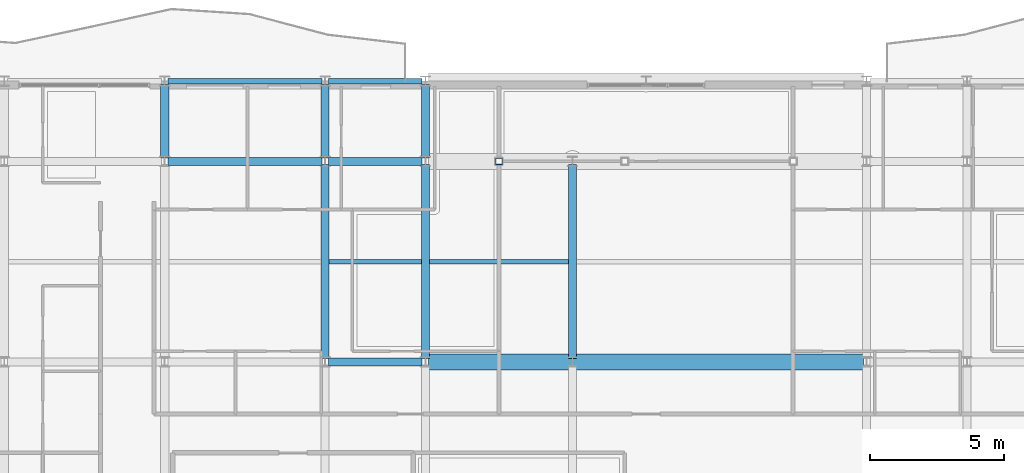
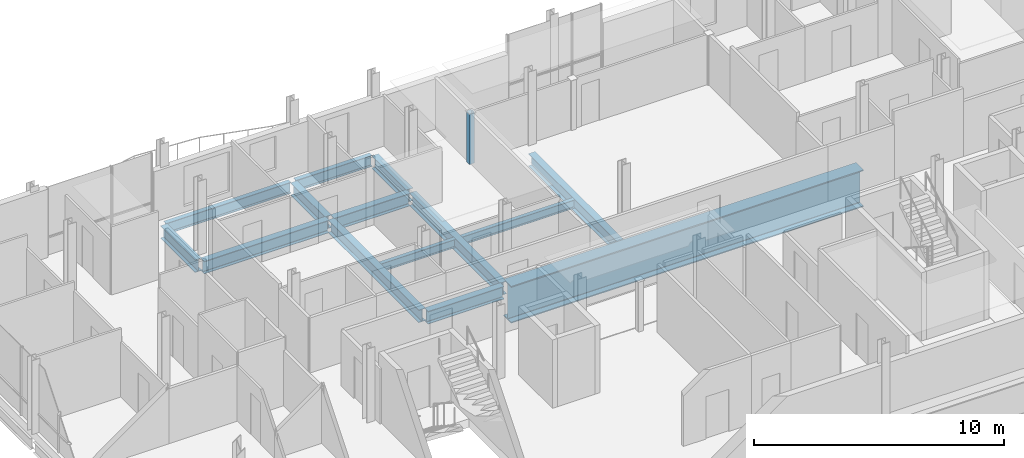
# One storey, part 9 of 35: 14 beams, 1 member.
"""IFC4 building model written with IfcOpenShell, lengths in metres."""

from ifc_helpers import new_model, si_unit, direction, frame, origin, origin_2d, place, context, subcontext, project, spatial, hollow_rectangle, i_section, extrude, material, material_profile, profile_set, type_object, element, save


model = new_model("IFC4")

# Units and contexts
model_context = context("Model", 3, precision=1e-05, world=origin(), true_north=direction((0.0, 1.0)))
body_context = subcontext(model_context, "Body", "Model", "MODEL_VIEW")
ifc_project = project(units=[si_unit("LENGTHUNIT", "METRE"), si_unit("AREAUNIT", "SQUARE_METRE"), si_unit("VOLUMEUNIT", "CUBIC_METRE"), si_unit("PLANEANGLEUNIT", "RADIAN"), si_unit("MASSUNIT", "GRAM", prefix="KILO")], contexts=[model_context])

# Site, building, storey
site_placement = place(None, origin())
site = spatial("IfcSite", under=ifc_project, at=site_placement, CompositionType="ELEMENT")
building_placement = place(site_placement, origin())
building = spatial("IfcBuilding", under=site, at=building_placement, Name="Brevholm Reach", CompositionType="ELEMENT")
storey_placement = place(building_placement, frame((0.0, 0.0, 214.39990234375)))
storey = spatial("IfcBuildingStorey", under=building, at=storey_placement, Name="L65", CompositionType="ELEMENT", Elevation=214.39990234375)

# Beams
ifc_material_1 = material(Name="Structural Steel S355J2", Category="steel")
ifc_material_profile_1 = material_profile(ifc_material_1, i_section(OverallWidth=0.177978515625, OverallDepth=0.406494140625, WebThickness=0.0078125, FlangeThickness=0.0126953125, FilletRadius=0.01025390625, at=origin_2d()), Name="UKB 406x178x60")
ifc_profile_set_1 = profile_set([ifc_material_profile_1], Name="Structural Steel S355J2")
beam_type_1 = type_object("IfcBeamType", Name="BM-B406", PredefinedType="BEAM", material=ifc_profile_set_1)
beam_1_placement = place(storey_placement, frame((18.153564453125, 19.75, -0.623046875), z_axis=(1.0, 0.0, 0.0), x_axis=(0.0, 1.0, 0.0)))
element("IfcBeam", 1, at=beam_1_placement, inside=storey, type_object=beam_type_1, Name="L65 Composite Secondary Floor Beam", PredefinedType="BEAM", context=body_context, shape_type="SweptSolid", body=[
    extrude(i_section(OverallWidth=0.177978515625, OverallDepth=0.406494140625, WebThickness=0.0078125, FlangeThickness=0.0126953125, FilletRadius=0.01025390625, at=origin_2d()), origin(), (0.0, 0.0, 1.0), 3.44287109375),
])
beam_2_placement = place(storey_placement, frame((21.903564453125, 19.75, -0.623046875), z_axis=(1.0, 0.0, 0.0), x_axis=(0.0, 1.0, 0.0)))
element("IfcBeam", 2, at=beam_2_placement, inside=storey, type_object=beam_type_1, Name="L65 Composite Secondary Floor Beam", PredefinedType="BEAM", context=body_context, shape_type="SweptSolid", body=[
    extrude(i_section(OverallWidth=0.177978515625, OverallDepth=0.406494140625, WebThickness=0.0078125, FlangeThickness=0.0126953125, FilletRadius=0.01025390625, at=origin_2d()), origin(), (0.0, 0.0, 1.0), 5.19287109375),
])
ifc_material_2 = material(Name="Structural Steel S460ML", Category="steel")
ifc_material_profile_2 = material_profile(ifc_material_2, i_section(OverallWidth=0.60009765625, OverallDepth=1.800048828125, WebThickness=0.034912109375, FlangeThickness=0.050048828125, FilletRadius=0.02392578125, at=origin_2d()), Name="PG 1800x600x50")
ifc_profile_set_2 = profile_set([ifc_material_profile_2], Name="Structural Steel S460ML")
beam_type_2 = type_object("IfcBeamType", Name="BM-PG1800", PredefinedType="USERDEFINED", material=ifc_profile_set_2)
beam_3_placement = place(storey_placement, frame((21.8701171875, 16.0, -1.31982421875), z_axis=(1.0, 0.0, 0.0), x_axis=(0.0, 1.0, 0.0)))
element("IfcBeam", 3, at=beam_3_placement, inside=storey, type_object=beam_type_2, Name="L65 TG-01 Framing Beam", ObjectType="GIRDER", PredefinedType="USERDEFINED", context=body_context, shape_type="SweptSolid", body=[
    extrude(i_section(OverallWidth=0.60009765625, OverallDepth=1.800048828125, WebThickness=0.034912109375, FlangeThickness=0.050048828125, FilletRadius=0.02392578125, at=origin_2d()), origin(), (0.0, 0.0, 1.0), 16.259765625),
])
ifc_material_3 = material(Name="Structural Steel S355J2", Category="steel")
ifc_material_profile_3 = material_profile(ifc_material_3, i_section(OverallWidth=0.210693359375, OverallDepth=0.53955078125, WebThickness=0.01171875, FlangeThickness=0.018798828125, FilletRadius=0.0126953125, at=origin_2d()), Name="UKB 533x210x109")
ifc_profile_set_3 = profile_set([ifc_material_profile_3], Name="Structural Steel S355J2")
beam_type_3 = type_object("IfcBeamType", Name="BM-SP539", PredefinedType="SPANDREL", material=ifc_profile_set_3)
beam_4_placement = place(storey_placement, frame((12.1201171875, 26.5, -0.689697265625), z_axis=(1.0, 0.0, 0.0), x_axis=(0.0, 1.0, 0.0)))
element("IfcBeam", 4, at=beam_4_placement, inside=storey, type_object=beam_type_3, Name="L65 SP-01B Framing Beam", PredefinedType="SPANDREL", context=body_context, shape_type="SweptSolid", body=[
    extrude(i_section(OverallWidth=0.210693359375, OverallDepth=0.53955078125, WebThickness=0.01171875, FlangeThickness=0.018798828125, FilletRadius=0.0126953125, at=origin_2d()), origin(), (0.0, 0.0, 1.0), 5.759765625),
])
beam_5_placement = place(storey_placement, frame((18.1201171875, 26.5, -0.689697265625), z_axis=(1.0, 0.0, 0.0), x_axis=(0.0, 1.0, 0.0)))
element("IfcBeam", 5, at=beam_5_placement, inside=storey, type_object=beam_type_3, Name="L65 SP-01B Framing Beam", PredefinedType="SPANDREL", context=body_context, shape_type="SweptSolid", body=[
    extrude(i_section(OverallWidth=0.210693359375, OverallDepth=0.53955078125, WebThickness=0.01171875, FlangeThickness=0.018798828125, FilletRadius=0.0126953125, at=origin_2d()), origin(), (0.0, 0.0, 1.0), 3.509765625),
])
ifc_material_4 = material(Name="Structural Steel S355J2", Category="steel")
ifc_material_profile_4 = material_profile(ifc_material_4, i_section(OverallWidth=0.30712890625, OverallDepth=0.6201171875, WebThickness=0.01416015625, FlangeThickness=0.023681640625, FilletRadius=0.0166015625, at=origin_2d()), Name="UKB 610x305x179")
ifc_profile_set_4 = profile_set([ifc_material_profile_4], Name="Structural Steel S355J2")
beam_type_4 = type_object("IfcBeamType", Name="BM-UKB610H", PredefinedType="USERDEFINED", material=ifc_profile_set_4)
beam_6_placement = place(storey_placement, frame((18.1201171875, 16.0, -0.72998046875), z_axis=(1.0, 0.0, 0.0), x_axis=(0.0, 1.0, 0.0)))
element("IfcBeam", 6, at=beam_6_placement, inside=storey, type_object=beam_type_4, Name="L65 G-06 Framing Beam", ObjectType="GIRDER", PredefinedType="USERDEFINED", context=body_context, shape_type="SweptSolid", body=[
    extrude(i_section(OverallWidth=0.30712890625, OverallDepth=0.6201171875, WebThickness=0.01416015625, FlangeThickness=0.023681640625, FilletRadius=0.0166015625, at=origin_2d()), origin(), (0.0, 0.0, 1.0), 3.509765625),
])
beam_7_placement = place(storey_placement, frame((12.1201171875, 23.5, -0.72998046875), z_axis=(1.0, 0.0, 0.0), x_axis=(0.0, 1.0, 0.0)))
element("IfcBeam", 7, at=beam_7_placement, inside=storey, type_object=beam_type_4, Name="L65 G-06 Framing Beam", ObjectType="GIRDER", PredefinedType="USERDEFINED", context=body_context, shape_type="SweptSolid", body=[
    extrude(i_section(OverallWidth=0.30712890625, OverallDepth=0.6201171875, WebThickness=0.01416015625, FlangeThickness=0.023681640625, FilletRadius=0.0166015625, at=origin_2d()), origin(), (0.0, 0.0, 1.0), 5.759765625),
])
beam_8_placement = place(storey_placement, frame((18.1201171875, 23.5, -0.72998046875), z_axis=(1.0, 0.0, 0.0), x_axis=(0.0, 1.0, 0.0)))
element("IfcBeam", 8, at=beam_8_placement, inside=storey, type_object=beam_type_4, Name="L65 G-06 Framing Beam", ObjectType="GIRDER", PredefinedType="USERDEFINED", context=body_context, shape_type="SweptSolid", body=[
    extrude(i_section(OverallWidth=0.30712890625, OverallDepth=0.6201171875, WebThickness=0.01416015625, FlangeThickness=0.023681640625, FilletRadius=0.0166015625, at=origin_2d()), origin(), (0.0, 0.0, 1.0), 3.509765625),
])
beam_9_placement = place(storey_placement, frame((12.0, 23.6201171875, -0.72998046875), z_axis=(0.0, 1.0, 0.0), x_axis=(-1.0, 0.0, 0.0)))
element("IfcBeam", 9, at=beam_9_placement, inside=storey, type_object=beam_type_4, Name="L65 G-06 Framing Beam", ObjectType="GIRDER", PredefinedType="USERDEFINED", context=body_context, shape_type="SweptSolid", body=[
    extrude(i_section(OverallWidth=0.30712890625, OverallDepth=0.6201171875, WebThickness=0.01416015625, FlangeThickness=0.023681640625, FilletRadius=0.0166015625, at=origin_2d()), origin(), (0.0, 0.0, 1.0), 2.759765625),
])
beam_10_placement = place(storey_placement, frame((18.0, 16.1201171875, -0.72998046875), z_axis=(0.0, 1.0, 0.0), x_axis=(-1.0, 0.0, 0.0)))
element("IfcBeam", 10, at=beam_10_placement, inside=storey, type_object=beam_type_4, Name="L65 G-06 Framing Beam", ObjectType="GIRDER", PredefinedType="USERDEFINED", context=body_context, shape_type="SweptSolid", body=[
    extrude(i_section(OverallWidth=0.30712890625, OverallDepth=0.6201171875, WebThickness=0.01416015625, FlangeThickness=0.023681640625, FilletRadius=0.0166015625, at=origin_2d()), origin(), (0.0, 0.0, 1.0), 7.259765625),
])
beam_11_placement = place(storey_placement, frame((18.0, 23.6201171875, -0.72998046875), z_axis=(0.0, 1.0, 0.0), x_axis=(-1.0, 0.0, 0.0)))
element("IfcBeam", 11, at=beam_11_placement, inside=storey, type_object=beam_type_4, Name="L65 G-06 Framing Beam", ObjectType="GIRDER", PredefinedType="USERDEFINED", context=body_context, shape_type="SweptSolid", body=[
    extrude(i_section(OverallWidth=0.30712890625, OverallDepth=0.6201171875, WebThickness=0.01416015625, FlangeThickness=0.023681640625, FilletRadius=0.0166015625, at=origin_2d()), origin(), (0.0, 0.0, 1.0), 2.759765625),
])
beam_12_placement = place(storey_placement, frame((21.75, 16.1201171875, -0.72998046875), z_axis=(0.0, 1.0, 0.0), x_axis=(-1.0, 0.0, 0.0)))
element("IfcBeam", 12, at=beam_12_placement, inside=storey, type_object=beam_type_4, Name="L65 G-06 Framing Beam", ObjectType="GIRDER", PredefinedType="USERDEFINED", context=body_context, shape_type="SweptSolid", body=[
    extrude(i_section(OverallWidth=0.30712890625, OverallDepth=0.6201171875, WebThickness=0.01416015625, FlangeThickness=0.023681640625, FilletRadius=0.0166015625, at=origin_2d()), origin(), (0.0, 0.0, 1.0), 7.259765625),
])
beam_13_placement = place(storey_placement, frame((21.75, 23.6201171875, -0.72998046875), z_axis=(0.0, 1.0, 0.0), x_axis=(-1.0, 0.0, 0.0)))
element("IfcBeam", 13, at=beam_13_placement, inside=storey, type_object=beam_type_4, Name="L65 G-06 Framing Beam", ObjectType="GIRDER", PredefinedType="USERDEFINED", context=body_context, shape_type="SweptSolid", body=[
    extrude(i_section(OverallWidth=0.30712890625, OverallDepth=0.6201171875, WebThickness=0.01416015625, FlangeThickness=0.023681640625, FilletRadius=0.0166015625, at=origin_2d()), origin(), (0.0, 0.0, 1.0), 2.759765625),
])
beam_14_placement = place(storey_placement, frame((27.25, 16.1201171875, -0.72998046875), z_axis=(0.0, 1.0, 0.0), x_axis=(-1.0, 0.0, 0.0)))
element("IfcBeam", 14, at=beam_14_placement, inside=storey, type_object=beam_type_4, Name="L65 G-06 Framing Beam", ObjectType="GIRDER", PredefinedType="USERDEFINED", context=body_context, shape_type="SweptSolid", body=[
    extrude(i_section(OverallWidth=0.30712890625, OverallDepth=0.6201171875, WebThickness=0.01416015625, FlangeThickness=0.023681640625, FilletRadius=0.0166015625, at=origin_2d()), origin(), (0.0, 0.0, 1.0), 7.259765625),
])

# Member
ifc_material_5 = material(Name="Structural Steel S355J2H", Category="steel")
ifc_material_profile_5 = material_profile(ifc_material_5, hollow_rectangle(XDim=0.25, YDim=0.25, WallThickness=0.010009765625, InnerFilletRadius=0.010009765625, OuterFilletRadius=0.02001953125, at=origin_2d()), Name="SHS 250x250x10")
ifc_profile_set_5 = profile_set([ifc_material_profile_5], Name="Structural Steel S355J2H")
member_type = type_object("IfcMemberType", Name="MEM-ST-SHS250", PredefinedType="STRUT", material=ifc_profile_set_5)
member_placement = place(storey_placement, frame((24.5, 23.5, 0.0), z_axis=(0.0, 0.0, 1.0), x_axis=(1.0, 0.0, 0.0)))
element("IfcMember", 15, at=member_placement, inside=storey, type_object=member_type, Name="L65 Portal Vierendeel Post 1", PredefinedType="STRUT", context=body_context, shape_type="SweptSolid", body=[
    extrude(hollow_rectangle(XDim=0.25, YDim=0.25, WallThickness=0.010009765625, InnerFilletRadius=0.010009765625, OuterFilletRadius=0.02001953125, at=origin_2d()), origin(), (0.0, 0.0, 1.0), 2.464111328125),
])

save(model, "model.ifc")
